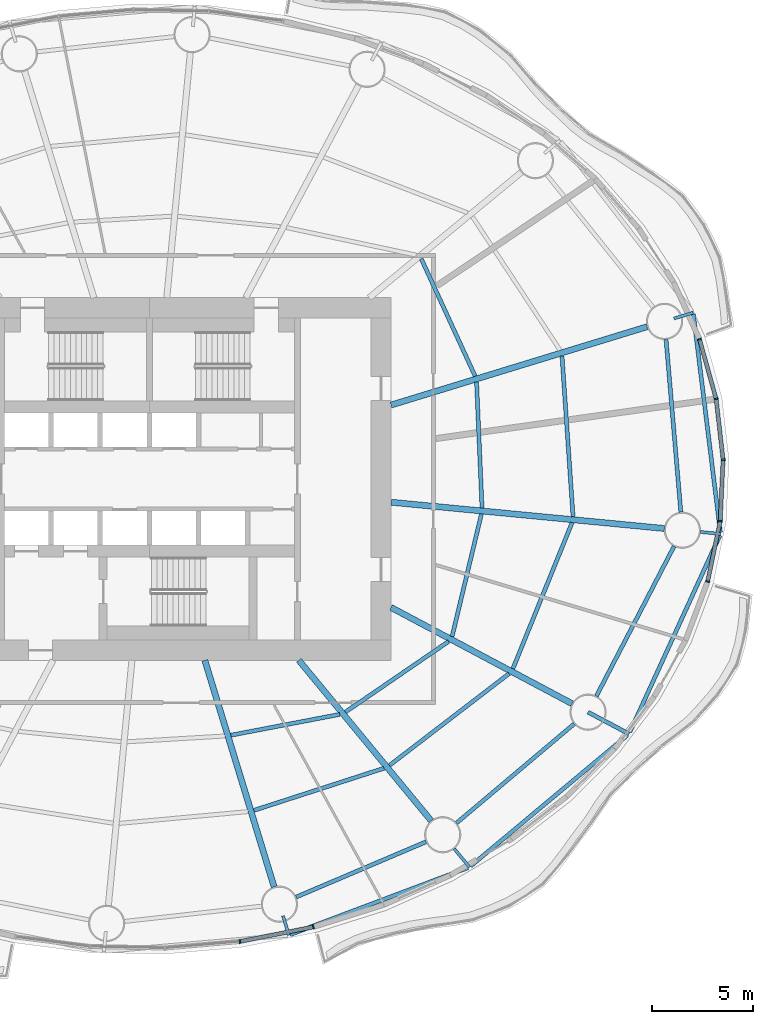
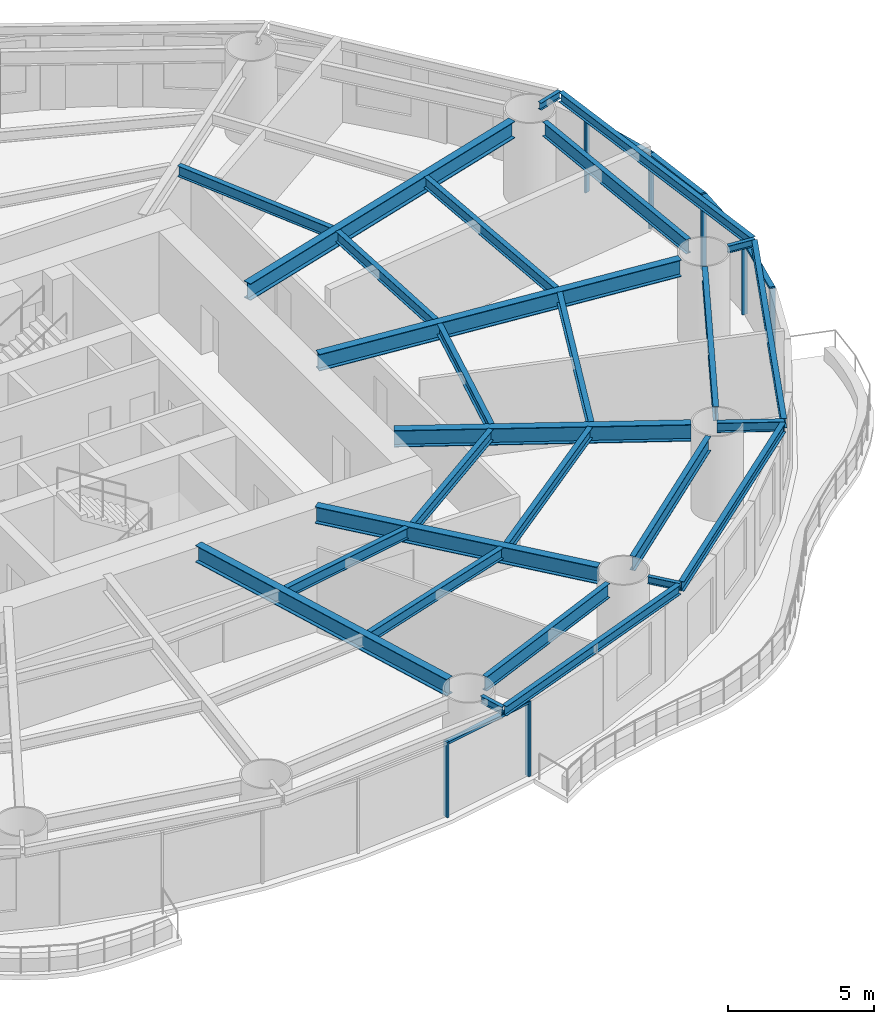
# One storey, part 4 of 16: 27 beams, 12 members, 5 elements without a shape of their own.
"""IFC4 building model written with IfcOpenShell, lengths in metres."""

from ifc_helpers import new_model, si_unit, direction, frame, origin, origin_2d, place, context, subcontext, project, spatial, rectangle, i_section, extrude, material, material_profile, profile_set, type_object, element, aggregate, save


model = new_model("IFC4")

# Units and contexts
model_context = context("Model", 3, precision=1e-05, world=origin(), true_north=direction((0.0, 1.0)))
body_context = subcontext(model_context, "Body", "Model", "MODEL_VIEW")
ifc_project = project(units=[si_unit("LENGTHUNIT", "METRE"), si_unit("AREAUNIT", "SQUARE_METRE"), si_unit("VOLUMEUNIT", "CUBIC_METRE"), si_unit("PLANEANGLEUNIT", "RADIAN"), si_unit("MASSUNIT", "GRAM", prefix="KILO")], contexts=[model_context])

# Site, building, storey
site_placement = place(None, origin())
site = spatial("IfcSite", under=ifc_project, at=site_placement, CompositionType="ELEMENT")
building_placement = place(site_placement, origin())
building = spatial("IfcBuilding", under=site, at=building_placement, Name="Vermilion Reach Broadcast Tower", CompositionType="ELEMENT")
storey_placement = place(building_placement, frame((0.0, 0.0, 43.39990234375)))
storey = spatial("IfcBuildingStorey", under=building, at=storey_placement, Name="L07", CompositionType="ELEMENT", Elevation=43.39990234375)

# Beams
ifc_material_1 = material(Name="Steel S355J2", Category="steel")
ifc_material_profile_1 = material_profile(ifc_material_1, i_section(OverallWidth=0.199951171875, OverallDepth=0.39990234375, WebThickness=0.008056640625, FlangeThickness=0.012939453125, at=origin_2d()), Name="S355J2 HN 400x200x8x13")
ifc_profile_set_1 = profile_set([ifc_material_profile_1], Name="Steel S355J2")
beam_type_1 = type_object("IfcBeamType", Name="EB1 HN 400x200x8x13", PredefinedType="BEAM", material=ifc_profile_set_1)
beam_1_placement = place(storey_placement, frame((0.99755859375, -22.6171875, 3.35009765625), z_axis=(0.935908985591, 0.352241920688, 0.0), x_axis=(-0.352241920688, 0.935908985591, 0.0)))
element("IfcBeam", 1, at=beam_1_placement, inside=storey, type_object=beam_type_1, Name="Edge beam EB1-13", PredefinedType="BEAM", context=body_context, shape_type="SweptSolid", body=[
    extrude(i_section(OverallWidth=0.199951171875, OverallDepth=0.39990234375, WebThickness=0.008056640625, FlangeThickness=0.012939453125, at=origin_2d()), origin(), (0.0, 0.0, 1.0), 9.4228515625),
])
beam_2_placement = place(storey_placement, frame((9.9482421875, -19.221923828125, 3.35009765625), z_axis=(0.767606961082, 0.640920863523, 0.0), x_axis=(-0.640920863523, 0.767606961082, 0.0)))
element("IfcBeam", 2, at=beam_2_placement, inside=storey, type_object=beam_type_1, Name="Edge beam EB1-14", PredefinedType="BEAM", context=body_context, shape_type="SweptSolid", body=[
    extrude(i_section(OverallWidth=0.199951171875, OverallDepth=0.39990234375, WebThickness=0.008056640625, FlangeThickness=0.012939453125, at=origin_2d()), origin(), (0.0, 0.0, 1.0), 10.13671875),
])
beam_3_placement = place(storey_placement, frame((17.853759765625, -12.564697265625, 3.35009765625), z_axis=(0.416361224981, 0.909199279769, 0.0), x_axis=(-0.909199279769, 0.416361224981, 0.0)))
element("IfcBeam", 3, at=beam_3_placement, inside=storey, type_object=beam_type_1, Name="Edge beam EB1-15", PredefinedType="BEAM", context=body_context, shape_type="SweptSolid", body=[
    extrude(i_section(OverallWidth=0.199951171875, OverallDepth=0.39990234375, WebThickness=0.008056640625, FlangeThickness=0.012939453125, at=origin_2d()), origin(), (0.0, 0.0, 1.0), 10.7421875),
])
beam_4_placement = place(storey_placement, frame((22.35009765625, -2.6494140625, 3.35009765625), z_axis=(-0.122873048381, 0.992422396957, 0.0), x_axis=(-0.992422396957, -0.122873048381, 0.0)))
element("IfcBeam", 4, at=beam_4_placement, inside=storey, type_object=beam_type_1, Name="Edge beam EB1-16", PredefinedType="BEAM", context=body_context, shape_type="SweptSolid", body=[
    extrude(i_section(OverallWidth=0.199951171875, OverallDepth=0.39990234375, WebThickness=0.008056640625, FlangeThickness=0.012939453125, at=origin_2d()), origin(), (0.0, 0.0, 1.0), 10.916259765625),
])
ifc_material_2 = material(Name="Steel S355J2", Category="steel")
ifc_material_profile_2 = material_profile(ifc_material_2, i_section(OverallWidth=0.300048828125, OverallDepth=0.699951171875, WebThickness=0.012939453125, FlangeThickness=0.02392578125, at=origin_2d()), Name="S355J2 HN 700x300x13x24")
ifc_profile_set_2 = profile_set([ifc_material_profile_2], Name="Steel S355J2")
beam_type_2 = type_object("IfcBeamType", Name="G1 HN 700x300x13x24", PredefinedType="BEAM", material=ifc_profile_set_2)
beam_5_placement = place(storey_placement, frame((6.0, 3.671142578125, 3.2001953125), z_axis=(0.956255735186, 0.292531996409, 0.0), x_axis=(-0.292531996409, 0.956255735186, 0.0)))
element("IfcBeam", 5, at=beam_5_placement, inside=storey, type_object=beam_type_2, Name="Girder G1-01", PredefinedType="BEAM", context=body_context, shape_type="SweptSolid", body=[
    extrude(i_section(OverallWidth=0.300048828125, OverallDepth=0.699951171875, WebThickness=0.012939453125, FlangeThickness=0.02392578125, at=origin_2d()), origin(), (0.0, 0.0, 1.0), 13.29638671875),
])
beam_6_placement = place(storey_placement, frame((-3.246826171875, -9.0, 3.2001953125), z_axis=(0.292542302886, -0.95625258223, 0.0), x_axis=(0.95625258223, 0.292542302886, 0.0)))
element("IfcBeam", 6, at=beam_6_placement, inside=storey, type_object=beam_type_2, Name="Girder G1-13", PredefinedType="BEAM", context=body_context, shape_type="SweptSolid", body=[
    extrude(i_section(OverallWidth=0.300048828125, OverallDepth=0.699951171875, WebThickness=0.012939453125, FlangeThickness=0.02392578125, at=origin_2d()), origin(), (0.0, 0.0, 1.0), 11.76220703125),
])
beam_7_placement = place(storey_placement, frame((1.421630859375, -9.0, 3.2001953125), z_axis=(0.636215165107, -0.77151167437, 0.0), x_axis=(0.77151167437, 0.636215165107, 0.0)))
element("IfcBeam", 7, at=beam_7_placement, inside=storey, type_object=beam_type_2, Name="Girder G1-14", PredefinedType="BEAM", context=body_context, shape_type="SweptSolid", body=[
    extrude(i_section(OverallWidth=0.300048828125, OverallDepth=0.699951171875, WebThickness=0.012939453125, FlangeThickness=0.02392578125, at=origin_2d()), origin(), (0.0, 0.0, 1.0), 10.3251953125),
])
beam_8_placement = place(storey_placement, frame((6.0, -6.3779296875, 3.2001953125), z_axis=(0.883032139419, -0.469312519279, 0.0), x_axis=(0.469312519279, 0.883032139419, 0.0)))
element("IfcBeam", 8, at=beam_8_placement, inside=storey, type_object=beam_type_2, Name="Girder G1-15", PredefinedType="BEAM", context=body_context, shape_type="SweptSolid", body=[
    extrude(i_section(OverallWidth=0.300048828125, OverallDepth=0.699951171875, WebThickness=0.012939453125, FlangeThickness=0.02392578125, at=origin_2d()), origin(), (0.0, 0.0, 1.0), 10.17529296875),
])
beam_9_placement = place(storey_placement, frame((6.0, -1.1533203125, 3.2001953125), z_axis=(0.995412178872, -0.095679643363, 0.0), x_axis=(0.095679643363, 0.995412178872, 0.0)))
element("IfcBeam", 9, at=beam_9_placement, inside=storey, type_object=beam_type_2, Name="Girder G1-16", PredefinedType="BEAM", context=body_context, shape_type="SweptSolid", body=[
    extrude(i_section(OverallWidth=0.300048828125, OverallDepth=0.699951171875, WebThickness=0.012939453125, FlangeThickness=0.02392578125, at=origin_2d()), origin(), (0.0, 0.0, 1.0), 13.630859375),
])
ifc_material_3 = material(Name="Steel S355J2", Category="steel")
ifc_material_profile_3 = material_profile(ifc_material_3, i_section(OverallWidth=0.199951171875, OverallDepth=0.39990234375, WebThickness=0.008056640625, FlangeThickness=0.012939453125, at=origin_2d()), Name="S355J2 HN 400x200x8x13")
ifc_profile_set_3 = profile_set([ifc_material_profile_3], Name="Steel S355J2")
beam_type_3 = type_object("IfcBeamType", Name="GC1 HN 400x200x8x13", PredefinedType="BEAM", material=ifc_profile_set_3)
beam_10_placement = place(storey_placement, frame((15.77978515625, -11.57568359375, 3.35009765625), z_axis=(0.88305665742, -0.469266384676, 0.0), x_axis=(0.469266384676, 0.88305665742, 0.0)))
element("IfcBeam", 10, at=beam_10_placement, inside=storey, type_object=beam_type_3, Name="Cantilever girder GC1-15", PredefinedType="BEAM", context=body_context, shape_type="SweptSolid", body=[
    extrude(i_section(OverallWidth=0.199951171875, OverallDepth=0.39990234375, WebThickness=0.008056640625, FlangeThickness=0.012939453125, at=origin_2d()), origin(), (0.0, 0.0, 1.0), 2.301513671875),
])
ifc_material_4 = material(Name="Steel S355J2", Category="steel")
ifc_material_profile_4 = material_profile(ifc_material_4, i_section(OverallWidth=0.14990234375, OverallDepth=0.300048828125, WebThickness=0.006591796875, FlangeThickness=0.009033203125, at=origin_2d()), Name="S355J2 HN 300x150x6.5x9")
ifc_profile_set_4 = profile_set([ifc_material_profile_4], Name="Steel S355J2")
beam_type_4 = type_object("IfcBeamType", Name="GS1 HN 300x150x6.5x9", PredefinedType="BEAM", material=ifc_profile_set_4)
for number, where, z_axis, x_axis, name in (
    (11, (20.043212890625, 7.967041015625, 3.400146484375), (0.956184611971, 0.29276438962, 0.0), (-0.29276438962, 0.956184611971, 0.0), "Cantilever stub GS1-01"),
    (12, (0.634521484375, -21.6875, 3.400146484375), (0.29276438962, -0.956184611971, 0.0), (0.956184611971, 0.29276438962, 0.0), "Cantilever stub GS1-13"),
):
    element("IfcBeam", number, at=place(storey_placement, frame(where, z_axis=z_axis, x_axis=x_axis)), inside=storey, type_object=beam_type_4, Name=name, PredefinedType="BEAM", context=body_context, shape_type="SweptSolid", body=[
        extrude(i_section(OverallWidth=0.14990234375, OverallDepth=0.300048828125, WebThickness=0.006591796875, FlangeThickness=0.009033203125, at=origin_2d()), origin(), (0.0, 0.0, 1.0), 0.999755859375),
    ])
beam_11_placement = place(storey_placement, frame((9.1357421875, -18.354736328125, 3.400146484375), z_axis=(0.636269688952, -0.771466708887, 0.0), x_axis=(0.771466708887, 0.636269688952, 0.0)))
element("IfcBeam", 13, at=beam_11_placement, inside=storey, type_object=beam_type_4, Name="Cantilever stub GS1-14", PredefinedType="BEAM", context=body_context, shape_type="SweptSolid", body=[
    extrude(i_section(OverallWidth=0.14990234375, OverallDepth=0.300048828125, WebThickness=0.006591796875, FlangeThickness=0.009033203125, at=origin_2d()), origin(), (0.0, 0.0, 1.0), 1.1865234375),
])
beam_12_placement = place(storey_placement, frame((21.360107421875, -2.629638671875, 3.400146484375), z_axis=(0.99540100718, -0.095795797955, 0.0), x_axis=(0.095795797955, 0.99540100718, 0.0)))
element("IfcBeam", 14, at=beam_12_placement, inside=storey, type_object=beam_type_4, Name="Cantilever stub GS1-16", PredefinedType="BEAM", context=body_context, shape_type="SweptSolid", body=[
    extrude(i_section(OverallWidth=0.14990234375, OverallDepth=0.300048828125, WebThickness=0.006591796875, FlangeThickness=0.009033203125, at=origin_2d()), origin(), (0.0, 0.0, 1.0), 1.004150390625),
])
ifc_material_5 = material(Name="Steel S355J2", Category="steel")
ifc_material_profile_5 = material_profile(ifc_material_5, i_section(OverallWidth=0.199951171875, OverallDepth=0.60009765625, WebThickness=0.010986328125, FlangeThickness=0.01708984375, at=origin_2d()), Name="S355J2 HN 600x200x11x17")
ifc_profile_set_5 = profile_set([ifc_material_profile_5], Name="Steel S355J2")
beam_type_5 = type_object("IfcBeamType", Name="RB1 HN 600x200x11x17", PredefinedType="BEAM", material=ifc_profile_set_5)
beam_13_placement = place(storey_placement, frame((1.28564453125, -20.755859375, 3.25), z_axis=(0.920220846584, 0.391399531825, 0.0), x_axis=(-0.391399531825, 0.920220846584, 0.0)))
element("IfcBeam", 15, at=beam_13_placement, inside=storey, type_object=beam_type_5, Name="Ring beam RB1-13", PredefinedType="BEAM", context=body_context, shape_type="SweptSolid", body=[
    extrude(i_section(OverallWidth=0.199951171875, OverallDepth=0.60009765625, WebThickness=0.010986328125, FlangeThickness=0.01708984375, at=origin_2d()), origin(), (0.0, 0.0, 1.0), 7.008544921875),
])
beam_14_placement = place(storey_placement, frame((9.251220703125, -17.080322265625, 3.25), z_axis=(0.764512441084, 0.6446089725, 0.0), x_axis=(-0.6446089725, 0.764512441084, 0.0)))
element("IfcBeam", 16, at=beam_14_placement, inside=storey, type_object=beam_type_5, Name="Ring beam RB1-14", PredefinedType="BEAM", context=body_context, shape_type="SweptSolid", body=[
    extrude(i_section(OverallWidth=0.199951171875, OverallDepth=0.60009765625, WebThickness=0.010986328125, FlangeThickness=0.01708984375, at=origin_2d()), origin(), (0.0, 0.0, 1.0), 7.6396484375),
])
beam_15_placement = place(storey_placement, frame((16.194091796875, -10.776611328125, 3.25), z_axis=(0.460411617218, 0.887705549566, 0.0), x_axis=(-0.887705549566, 0.460411617218, 0.0)))
element("IfcBeam", 17, at=beam_15_placement, inside=storey, type_object=beam_type_5, Name="Ring beam RB1-15", PredefinedType="BEAM", context=body_context, shape_type="SweptSolid", body=[
    extrude(i_section(OverallWidth=0.199951171875, OverallDepth=0.60009765625, WebThickness=0.010986328125, FlangeThickness=0.01708984375, at=origin_2d()), origin(), (0.0, 0.0, 1.0), 8.37451171875),
])
beam_16_placement = place(storey_placement, frame((20.38720703125, -1.646728515625, 3.25), z_axis=(-0.085395508608, 0.996347131832, 0.0), x_axis=(-0.996347131832, -0.085395508608, 0.0)))
element("IfcBeam", 18, at=beam_16_placement, inside=storey, type_object=beam_type_5, Name="Ring beam RB1-16", PredefinedType="BEAM", context=body_context, shape_type="SweptSolid", body=[
    extrude(i_section(OverallWidth=0.199951171875, OverallDepth=0.60009765625, WebThickness=0.010986328125, FlangeThickness=0.01708984375, at=origin_2d()), origin(), (0.0, 0.0, 1.0), 8.60546875),
])
ifc_material_6 = material(Name="Steel S355J2", Category="steel")
ifc_material_profile_6 = material_profile(ifc_material_6, i_section(OverallWidth=0.199951171875, OverallDepth=0.449951171875, WebThickness=0.009033203125, FlangeThickness=0.013916015625, at=origin_2d()), Name="S355J2 HN 450x200x9x14")
ifc_profile_set_6 = profile_set([ifc_material_profile_6], Name="Steel S355J2")
beam_type_6 = type_object("IfcBeamType", Name="SB1 HN 450x200x9x14", PredefinedType="BEAM", material=ifc_profile_set_6)
beam_17_placement = place(storey_placement, frame((10.175048828125, 5.105224609375, 3.3251953125), z_axis=(-0.417211452529, 0.908809443106, 0.0), x_axis=(-0.908809443106, -0.417211452529, 0.0)))
element("IfcBeam", 19, at=beam_17_placement, inside=storey, type_object=beam_type_6, Name="Secondary beam SB1-01-1", PredefinedType="BEAM", context=body_context, shape_type="SweptSolid", body=[
    extrude(i_section(OverallWidth=0.199951171875, OverallDepth=0.449951171875, WebThickness=0.009033203125, FlangeThickness=0.013916015625, at=origin_2d()), origin(), (0.0, 0.0, 1.0), 6.41650390625),
])
beam_18_placement = place(storey_placement, frame((-1.95166015625, -12.720703125, 3.3251953125), z_axis=(0.982151348822, 0.188092339045, 0.0), x_axis=(-0.188092339045, 0.982151348822, 0.0)))
element("IfcBeam", 20, at=beam_18_placement, inside=storey, type_object=beam_type_6, Name="Secondary beam SB1-13-1", PredefinedType="BEAM", context=body_context, shape_type="SweptSolid", body=[
    extrude(i_section(OverallWidth=0.199951171875, OverallDepth=0.449951171875, WebThickness=0.009033203125, FlangeThickness=0.013916015625, at=origin_2d()), origin(), (0.0, 0.0, 1.0), 5.4931640625),
])
beam_19_placement = place(storey_placement, frame((-0.81005859375, -16.4521484375, 3.3251953125), z_axis=(0.951332300844, 0.308166924523, 0.0), x_axis=(-0.308166924523, 0.951332300844, 0.0)))
element("IfcBeam", 21, at=beam_19_placement, inside=storey, type_object=beam_type_6, Name="Secondary beam SB1-13-2", PredefinedType="BEAM", context=body_context, shape_type="SweptSolid", body=[
    extrude(i_section(OverallWidth=0.199951171875, OverallDepth=0.449951171875, WebThickness=0.009033203125, FlangeThickness=0.013916015625, at=origin_2d()), origin(), (0.0, 0.0, 1.0), 6.787841796875),
])
beam_20_placement = place(storey_placement, frame((3.735595703125, -11.5703125, 3.3251953125), z_axis=(0.825140253447, 0.564927926502, 0.0), x_axis=(-0.564927926502, 0.825140253447, 0.0)))
element("IfcBeam", 22, at=beam_20_placement, inside=storey, type_object=beam_type_6, Name="Secondary beam SB1-14-1", PredefinedType="BEAM", context=body_context, shape_type="SweptSolid", body=[
    extrude(i_section(OverallWidth=0.199951171875, OverallDepth=0.449951171875, WebThickness=0.009033203125, FlangeThickness=0.013916015625, at=origin_2d()), origin(), (0.0, 0.0, 1.0), 6.20458984375),
])
beam_21_placement = place(storey_placement, frame((5.920166015625, -14.21923828125, 3.3251953125), z_axis=(0.793349617473, 0.60876628065, 0.0), x_axis=(-0.60876628065, 0.793349617473, 0.0)))
element("IfcBeam", 23, at=beam_21_placement, inside=storey, type_object=beam_type_6, Name="Secondary beam SB1-14-2", PredefinedType="BEAM", context=body_context, shape_type="SweptSolid", body=[
    extrude(i_section(OverallWidth=0.199951171875, OverallDepth=0.449951171875, WebThickness=0.009033203125, FlangeThickness=0.013916015625, at=origin_2d()), origin(), (0.0, 0.0, 1.0), 7.486328125),
])
beam_22_placement = place(storey_placement, frame((9.031005859375, -7.81884765625, 3.3251953125), z_axis=(0.232844467589, 0.972513986487, 0.0), x_axis=(-0.972513986487, 0.232844467589, 0.0)))
element("IfcBeam", 24, at=beam_22_placement, inside=storey, type_object=beam_type_6, Name="Secondary beam SB1-15-1", PredefinedType="BEAM", context=body_context, shape_type="SweptSolid", body=[
    extrude(i_section(OverallWidth=0.199951171875, OverallDepth=0.449951171875, WebThickness=0.009033203125, FlangeThickness=0.013916015625, at=origin_2d()), origin(), (0.0, 0.0, 1.0), 6.25537109375),
])
beam_23_placement = place(storey_placement, frame((12.046630859375, -9.421630859375, 3.3251953125), z_axis=(0.375640669938, 0.926765389453, 0.0), x_axis=(-0.926765389453, 0.375640669938, 0.0)))
element("IfcBeam", 25, at=beam_23_placement, inside=storey, type_object=beam_type_6, Name="Secondary beam SB1-15-2", PredefinedType="BEAM", context=body_context, shape_type="SweptSolid", body=[
    extrude(i_section(OverallWidth=0.199951171875, OverallDepth=0.449951171875, WebThickness=0.009033203125, FlangeThickness=0.013916015625, at=origin_2d()), origin(), (0.0, 0.0, 1.0), 7.8271484375),
])
beam_24_placement = place(storey_placement, frame((10.51611328125, -1.436767578125, 3.3251953125), z_axis=(-0.043361007512, 0.999059469215, 0.0), x_axis=(-0.999059469215, -0.043361007512, 0.0)))
element("IfcBeam", 26, at=beam_24_placement, inside=storey, type_object=beam_type_6, Name="Secondary beam SB1-16-1", PredefinedType="BEAM", context=body_context, shape_type="SweptSolid", body=[
    extrude(i_section(OverallWidth=0.199951171875, OverallDepth=0.449951171875, WebThickness=0.009033203125, FlangeThickness=0.013916015625, at=origin_2d()), origin(), (0.0, 0.0, 1.0), 6.25537109375),
])
beam_25_placement = place(storey_placement, frame((15.03515625, -1.87109375, 3.3251953125), z_axis=(-0.068507801475, 0.997650580683, 0.0), x_axis=(-0.997650580683, -0.068507801475, 0.0)))
element("IfcBeam", 27, at=beam_25_placement, inside=storey, type_object=beam_type_6, Name="Secondary beam SB1-16-2", PredefinedType="BEAM", context=body_context, shape_type="SweptSolid", body=[
    extrude(i_section(OverallWidth=0.199951171875, OverallDepth=0.449951171875, WebThickness=0.009033203125, FlangeThickness=0.013916015625, at=origin_2d()), origin(), (0.0, 0.0, 1.0), 8.00048828125),
])

# Curtain wall, member
ifc_material_7 = material(Name="Low-e laminated clear glass in aluminium frame", Category="aluminium")
curtain_wall_type = type_object("IfcCurtainWallType", Name="Slot curtain wall", PredefinedType="NOTDEFINED", material=ifc_material_7)
placement = place(storey_placement, origin())
curtain_wall_1 = element("IfcCurtainWall", 28, at=placement, inside=storey, type_object=curtain_wall_type, Name="Slot curtain wall L07 46", PredefinedType="NOTDEFINED")
ifc_material_8 = material(Name="Anodised aluminium", Category="aluminium")
ifc_material_profile_7 = material_profile(ifc_material_8, rectangle(XDim=0.199951171875, YDim=0.080078125, at=origin_2d()), Name="Slot mullion 80 x 200")
ifc_profile_set_7 = profile_set([ifc_material_profile_7], Name="Anodised aluminium")
member_type_1 = type_object("IfcMemberType", Name="Slot mullion 80 x 200", PredefinedType="MULLION", material=ifc_profile_set_7)
member_1_placement = place(storey_placement, frame((21.71728515625, -5.088623046875, 0.0), z_axis=(0.0, 0.0, 1.0), x_axis=(-0.960520167064, 0.278210367641, 0.0)))
member_1 = element("IfcMember", 29, at=member_1_placement, type_object=member_type_1, Name="Slot mullion L07 46", PredefinedType="MULLION", context=body_context, shape_type="SweptSolid", body=[
    extrude(rectangle(XDim=0.199951171875, YDim=0.080078125, at=origin_2d()), origin(), (0.0, 0.0, 1.0), 3.150146484375),
])

curtain_wall_2 = element("IfcCurtainWall", 30, at=placement, inside=storey, type_object=curtain_wall_type, Name="Slot curtain wall L07 47", PredefinedType="NOTDEFINED")
member_2_placement = place(storey_placement, frame((22.3408203125, -2.084228515625, 0.0), z_axis=(0.0, 0.0, 1.0), x_axis=(-0.992139021063, 0.12514057249, 0.0)))
member_2 = element("IfcMember", 31, at=member_2_placement, type_object=member_type_1, Name="Slot mullion L07 47", PredefinedType="MULLION", context=body_context, shape_type="SweptSolid", body=[
    extrude(rectangle(XDim=0.199951171875, YDim=0.080078125, at=origin_2d()), origin(), (0.0, 0.0, 1.0), 3.150146484375),
])

curtain_wall_3 = element("IfcCurtainWall", 32, at=placement, inside=storey, type_object=curtain_wall_type, Name="Slot curtain wall L07 00", PredefinedType="NOTDEFINED")
member_3_placement = place(storey_placement, frame((22.481689453125, 0.954833984375, 0.0), z_axis=(0.0, 0.0, 1.0), x_axis=(-0.99943858541, -0.033503939971, 0.0)))
member_3 = element("IfcMember", 33, at=member_3_placement, type_object=member_type_1, Name="Slot mullion L07 00", PredefinedType="MULLION", context=body_context, shape_type="SweptSolid", body=[
    extrude(rectangle(XDim=0.199951171875, YDim=0.080078125, at=origin_2d()), origin(), (0.0, 0.0, 1.0), 3.150146484375),
])

# Curtain wall, members
curtain_wall_4 = element("IfcCurtainWall", 34, at=placement, inside=storey, type_object=curtain_wall_type, Name="Slot curtain wall L07 01", PredefinedType="NOTDEFINED")
member_4_placement = place(storey_placement, frame((22.1376953125, 3.9775390625, 0.0), z_axis=(0.0, 0.0, 1.0), x_axis=(-0.981530895838, -0.191303686624, 0.0)))
member_4 = element("IfcMember", 35, at=member_4_placement, type_object=member_type_1, Name="Slot mullion L07 01", PredefinedType="MULLION", context=body_context, shape_type="SweptSolid", body=[
    extrude(rectangle(XDim=0.199951171875, YDim=0.080078125, at=origin_2d()), origin(), (0.0, 0.0, 1.0), 3.150146484375),
])
member_5_placement = place(storey_placement, frame((21.314208984375, 6.933349609375, 0.0), z_axis=(0.0, 0.0, 1.0), x_axis=(-0.93973184095, -0.341912367581, 0.0)))
member_5 = element("IfcMember", 36, at=member_5_placement, type_object=member_type_1, Name="Slot mullion L07 02", PredefinedType="MULLION", context=body_context, shape_type="SweptSolid", body=[
    extrude(rectangle(XDim=0.199951171875, YDim=0.080078125, at=origin_2d()), origin(), (0.0, 0.0, 1.0), 3.150146484375),
])

curtain_wall_5 = element("IfcCurtainWall", 37, at=placement, inside=storey, type_object=curtain_wall_type, Name="Slot curtain wall L07 37", PredefinedType="NOTDEFINED")
member_6_placement = place(storey_placement, frame((-1.50146484375, -22.960205078125, 0.0), z_axis=(0.0, 0.0, 1.0), x_axis=(-0.140658237657, 0.9900582105, 0.0)))
member_6 = element("IfcMember", 38, at=member_6_placement, type_object=member_type_1, Name="Slot mullion L07 37", PredefinedType="MULLION", context=body_context, shape_type="SweptSolid", body=[
    extrude(rectangle(XDim=0.199951171875, YDim=0.080078125, at=origin_2d()), origin(), (0.0, 0.0, 1.0), 3.150146484375),
])
member_7_placement = place(storey_placement, frame((2.138671875, -22.24072265625, 0.0), z_axis=(0.0, 0.0, 1.0), x_axis=(-0.247354182936, 0.968925130329, 0.0)))
member_7 = element("IfcMember", 39, at=member_7_placement, type_object=member_type_1, Name="Slot mullion L07 38", PredefinedType="MULLION", context=body_context, shape_type="SweptSolid", body=[
    extrude(rectangle(XDim=0.199951171875, YDim=0.080078125, at=origin_2d()), origin(), (0.0, 0.0, 1.0), 3.150146484375),
])

# Member
ifc_material_9 = material(Name="Anodised aluminium", Category="aluminium")
ifc_material_profile_8 = material_profile(ifc_material_9, rectangle(XDim=0.199951171875, YDim=0.10009765625, at=origin_2d()), Name="Slot transom 200 x 100")
ifc_profile_set_8 = profile_set([ifc_material_profile_8], Name="Anodised aluminium")
member_type_2 = type_object("IfcMemberType", Name="Slot transom 200 x 100", PredefinedType="USERDEFINED", material=ifc_profile_set_8)
member_8_placement = place(storey_placement, frame((21.7255859375, -5.049560546875, 3.10009765625), z_axis=(0.203164737702, 0.979144570201, 0.0), x_axis=(-0.979144570201, 0.203164737702, 0.0)))
member_8 = element("IfcMember", 40, at=member_8_placement, type_object=member_type_2, Name="Slot transom L07 46.1", ObjectType="TRANSOM", PredefinedType="USERDEFINED", context=body_context, shape_type="SweptSolid", body=[
    extrude(rectangle(XDim=0.199951171875, YDim=0.10009765625, at=origin_2d()), origin(), (0.0, 0.0, 1.0), 2.988525390625),
])

aggregate(curtain_wall_1, [member_1, member_8])

member_9_placement = place(storey_placement, frame((22.3427734375, -2.044189453125, 3.10009765625), z_axis=(0.046237623201, 0.998930469152, 0.0), x_axis=(-0.998930469152, 0.046237623201, 0.0)))
member_9 = element("IfcMember", 41, at=member_9_placement, type_object=member_type_2, Name="Slot transom L07 47.1", ObjectType="TRANSOM", PredefinedType="USERDEFINED", context=body_context, shape_type="SweptSolid", body=[
    extrude(rectangle(XDim=0.199951171875, YDim=0.10009765625, at=origin_2d()), origin(), (0.0, 0.0, 1.0), 2.962158203125),
])

aggregate(curtain_wall_2, [member_2, member_9])

member_10_placement = place(storey_placement, frame((22.47705078125, 0.99462890625, 3.10009765625), z_axis=(-0.113081673561, 0.993585695904, 0.0), x_axis=(-0.993585695904, -0.113081673561, 0.0)))
member_10 = element("IfcMember", 42, at=member_10_placement, type_object=member_type_2, Name="Slot transom L07 00.1", ObjectType="TRANSOM", PredefinedType="USERDEFINED", context=body_context, shape_type="SweptSolid", body=[
    extrude(rectangle(XDim=0.199951171875, YDim=0.10009765625, at=origin_2d()), origin(), (0.0, 0.0, 1.0), 2.962158203125),
])

aggregate(curtain_wall_3, [member_3, member_10])

member_11_placement = place(storey_placement, frame((22.126953125, 4.01611328125, 3.10009765625), z_axis=(-0.268360062716, 0.963318678704, 0.0), x_axis=(-0.963318678704, -0.268360062716, 0.0)))
member_11 = element("IfcMember", 43, at=member_11_placement, type_object=member_type_2, Name="Slot transom L07 01.1", ObjectType="TRANSOM", PredefinedType="USERDEFINED", context=body_context, shape_type="SweptSolid", body=[
    extrude(rectangle(XDim=0.199951171875, YDim=0.10009765625, at=origin_2d()), origin(), (0.0, 0.0, 1.0), 2.988525390625),
])

aggregate(curtain_wall_4, [member_4, member_5, member_11])

member_12_placement = place(storey_placement, frame((-1.46240234375, -22.952392578125, 3.10009765625), z_axis=(0.981030641145, 0.193852730529, 0.0), x_axis=(-0.193852730529, 0.981030641145, 0.0)))
member_12 = element("IfcMember", 44, at=member_12_placement, type_object=member_type_2, Name="Slot transom L07 37.1", ObjectType="TRANSOM", PredefinedType="USERDEFINED", context=body_context, shape_type="SweptSolid", body=[
    extrude(rectangle(XDim=0.199951171875, YDim=0.10009765625, at=origin_2d()), origin(), (0.0, 0.0, 1.0), 3.630859375),
])

aggregate(curtain_wall_5, [member_6, member_7, member_12])

save(model, "model.ifc")
